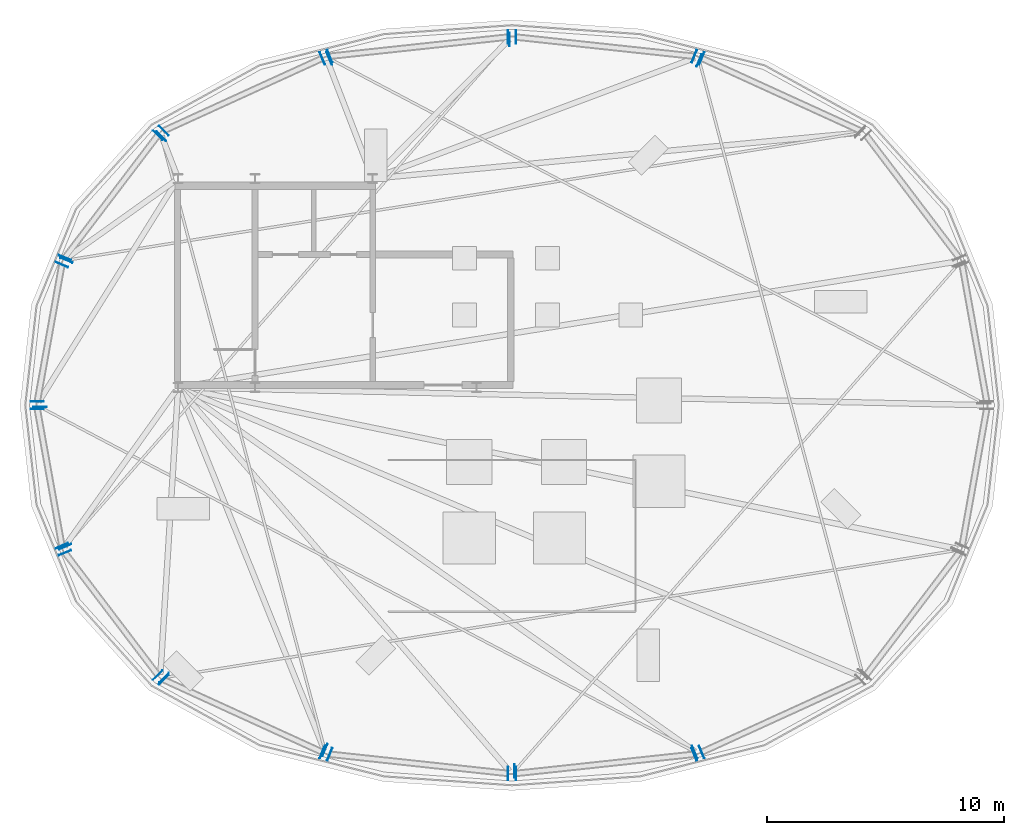
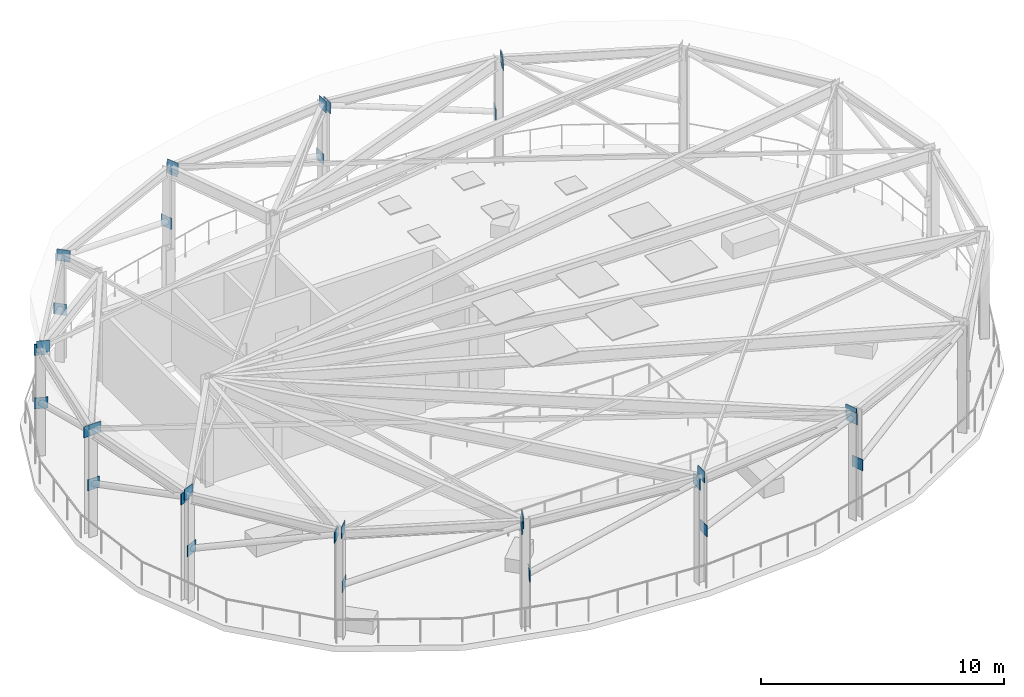
# One storey, part 3 of 6: 33 plates.
"""IFC4 building model written with IfcOpenShell, lengths in metres."""

from ifc_helpers import new_model, si_unit, direction, frame, origin, origin_2d, place, context, subcontext, project, spatial, rectangle, extrude, material, layer, layer_set, type_object, element, save


model = new_model("IFC4")

# Units and contexts
model_context = context("Model", 3, precision=1e-05, world=origin(), true_north=direction((0.0, 1.0)))
body_context = subcontext(model_context, "Body", "Model", "MODEL_VIEW")
ifc_project = project(units=[si_unit("LENGTHUNIT", "METRE"), si_unit("AREAUNIT", "SQUARE_METRE"), si_unit("VOLUMEUNIT", "CUBIC_METRE"), si_unit("PLANEANGLEUNIT", "RADIAN"), si_unit("MASSUNIT", "GRAM", prefix="KILO")], contexts=[model_context])

# Site, building, storey
site_placement = place(None, origin())
site = spatial("IfcSite", under=ifc_project, at=site_placement, CompositionType="ELEMENT")
building_placement = place(site_placement, origin())
building = spatial("IfcBuilding", under=site, at=building_placement, Name="Haldorwick Loom Tower", CompositionType="ELEMENT")
storey_placement = place(building_placement, frame((0.0, 0.0, 300.5)))
storey = spatial("IfcBuildingStorey", under=building, at=storey_placement, Name="RF", CompositionType="ELEMENT", Elevation=300.5)

# Plates
ifc_material = material(Name="Steel CSA G40.21 350W", Category="steel")
ifc_layer = layer(ifc_material, 0.028076171875, Name="Steel CSA G40.21 350W", Category="steel")
ifc_layer_set = layer_set([ifc_layer], Name="Steel CSA G40.21 350W")
plate_type = type_object("IfcPlateType", Name="STR-PLT-GUS28", PredefinedType="SHEET", material=ifc_layer_set)
for number, where, z_axis, x_axis, name in (
    (1, (28.301025390625, 40.61279296875, 5.038330078125), (0.0, 0.0, 1.0), (-0.382683432365, 0.923879532511, 0.0), "RF Truss Node Gusset Plate PLT-RF-CPR-00B"),
    (2, (17.223388671875, 32.11083984375, 5.038330078125), (0.0, 0.0, 1.0), (-0.923879532511, 0.382683432365, 0.0), "RF Truss Node Gusset Plate PLT-RF-CPR-01B"),
    (3, (35.891357421875, 41.41064453125, 5.038330078125), (0.0, 0.0, 1.0), (0.0, 1.0, 0.0), "RF Truss Node Gusset Plate PLT-RF-CPR-02A"),
    (4, (17.169189453125, 20.039306640625, 5.038330078125), (0.0, 0.0, 1.0), (-0.923879532511, -0.382683432365, 0.0), "RF Truss Node Gusset Plate PLT-RF-CPR-02B"),
    (5, (21.217041015625, 37.341796875, 5.038330078125), (0.0, 0.0, 1.0), (-0.707106781187, 0.707106781187, 0.0), "RF Truss Node Gusset Plate PLT-RF-CPR-03A"),
    (6, (28.112548828125, 11.4697265625, 5.038330078125), (0.0, 0.0, 1.0), (-0.382683432365, -0.923879532511, 0.0), "RF Truss Node Gusset Plate PLT-RF-CPR-03B"),
    (7, (16.1123046875, 25.923095703125, 5.038330078125), (0.0, 0.0, 1.0), (-1.0, 0.0, 0.0), "RF Truss Node Gusset Plate PLT-RF-CPR-04A"),
    (8, (43.698974609375, 11.38720703125, 5.038330078125), (0.0, 0.0, 1.0), (0.382683432365, -0.923879532511, 0.0), "RF Truss Node Gusset Plate PLT-RF-CPR-04B"),
    (9, (21.33740234375, 14.52490234375, 5.038330078125), (0.0, 0.0, 1.0), (-0.707106781187, -0.707106781187, 0.0), "RF Truss Node Gusset Plate PLT-RF-CPR-05A"),
    (10, (36.108642578125, 10.58935546875, 5.038330078125), (0.0, 0.0, 1.0), (0.0, -1.0, 0.0), "RF Truss Node Gusset Plate PLT-RF-CPR-06A"),
    (11, (43.887451171875, 40.5302734375, 5.038330078125), (0.0, 0.0, 1.0), (0.382683432365, 0.923879532511, 0.0), "RF Truss Node Gusset Plate PLT-RF-CPR-07B"),
    (12, (43.9951171875, 40.62109375, 4.840087890625), (0.0, 0.0, 1.0), (0.382683432365, 0.923879532511, 0.0), "RF Truss Node Gusset Plate PLT-RF-CGUS-02B"),
    (13, (43.680908203125, 40.70751953125, 2.369873046875), (0.0, 0.0, 1.0), (0.382683432365, 0.923879532511, 0.0), "RF Truss Node Gusset Plate PLT-RF-CGUS-03A"),
    (14, (36.1640625, 41.51708984375, 4.840087890625), (0.0, 0.0, 1.0), (0.0, 1.0, 0.0), "RF Truss Node Gusset Plate PLT-RF-CGUS-03B"),
    (15, (35.8359375, 41.51708984375, 2.369873046875), (0.0, 0.0, 1.0), (0.0, 1.0, 0.0), "RF Truss Node Gusset Plate PLT-RF-CGUS-04A"),
    (16, (28.319091796875, 40.70751953125, 4.840087890625), (0.0, 0.0, 1.0), (-0.382683432365, 0.923879532511, 0.0), "RF Truss Node Gusset Plate PLT-RF-CGUS-04B"),
    (17, (28.0048828125, 40.62109375, 2.369873046875), (0.0, 0.0, 1.0), (-0.382683432365, 0.923879532511, 0.0), "RF Truss Node Gusset Plate PLT-RF-CGUS-05A"),
    (18, (21.32470703125, 37.56982421875, 4.840087890625), (0.0, 0.0, 1.0), (-0.707106781187, 0.707106781187, 0.0), "RF Truss Node Gusset Plate PLT-RF-CGUS-05B"),
    (19, (21.07470703125, 37.369873046875, 2.369873046875), (0.0, 0.0, 1.0), (-0.707106781187, 0.707106781187, 0.0), "RF Truss Node Gusset Plate PLT-RF-CGUS-06A"),
    (20, (17.160400390625, 32.216064453125, 4.840087890625), (0.0, 0.0, 1.0), (-0.923879532511, 0.382683432365, 0.0), "RF Truss Node Gusset Plate PLT-RF-CGUS-06B"),
    (21, (17.03125, 31.92236328125, 2.369873046875), (0.0, 0.0, 1.0), (-0.923879532511, 0.382683432365, 0.0), "RF Truss Node Gusset Plate PLT-RF-CGUS-07A"),
    (22, (15.99560546875, 26.162353515625, 4.840087890625), (0.0, 0.0, 1.0), (-1.0, 0.0, 0.0), "RF Truss Node Gusset Plate PLT-RF-CGUS-07B"),
    (23, (15.99560546875, 25.837646484375, 2.369873046875), (0.0, 0.0, 1.0), (-1.0, 0.0, 0.0), "RF Truss Node Gusset Plate PLT-RF-CGUS-08A"),
    (24, (17.03125, 20.07763671875, 4.840087890625), (0.0, 0.0, 1.0), (-0.923879532511, -0.382683432365, 0.0), "RF Truss Node Gusset Plate PLT-RF-CGUS-08B"),
    (25, (17.160400390625, 19.783935546875, 2.369873046875), (0.0, 0.0, 1.0), (-0.923879532511, -0.382683432365, 0.0), "RF Truss Node Gusset Plate PLT-RF-CGUS-09A"),
    (26, (21.07470703125, 14.630126953125, 4.840087890625), (0.0, 0.0, 1.0), (-0.707106781187, -0.707106781187, 0.0), "RF Truss Node Gusset Plate PLT-RF-CGUS-09B"),
    (27, (21.32470703125, 14.43017578125, 2.369873046875), (0.0, 0.0, 1.0), (-0.707106781187, -0.707106781187, 0.0), "RF Truss Node Gusset Plate PLT-RF-CGUS-10A"),
    (28, (28.0048828125, 11.37890625, 4.840087890625), (0.0, 0.0, 1.0), (-0.382683432365, -0.923879532511, 0.0), "RF Truss Node Gusset Plate PLT-RF-CGUS-10B"),
    (29, (28.319091796875, 11.29248046875, 2.369873046875), (0.0, 0.0, 1.0), (-0.382683432365, -0.923879532511, 0.0), "RF Truss Node Gusset Plate PLT-RF-CGUS-11A"),
    (30, (35.8359375, 10.48291015625, 4.840087890625), (0.0, 0.0, 1.0), (0.0, -1.0, 0.0), "RF Truss Node Gusset Plate PLT-RF-CGUS-11B"),
    (31, (36.1640625, 10.48291015625, 2.369873046875), (0.0, 0.0, 1.0), (0.0, -1.0, 0.0), "RF Truss Node Gusset Plate PLT-RF-CGUS-12A"),
    (32, (43.680908203125, 11.29248046875, 4.840087890625), (0.0, 0.0, 1.0), (0.382683432365, -0.923879532511, 0.0), "RF Truss Node Gusset Plate PLT-RF-CGUS-12B"),
    (33, (43.9951171875, 11.37890625, 2.369873046875), (0.0, 0.0, 1.0), (0.382683432365, -0.923879532511, 0.0), "RF Truss Node Gusset Plate PLT-RF-CGUS-13A"),
):
    element("IfcPlate", number, at=place(storey_placement, frame(where, z_axis=z_axis, x_axis=x_axis)), inside=storey, type_object=plate_type, Name=name, PredefinedType="SHEET", context=body_context, shape_type="SweptSolid", body=[
        extrude(rectangle(XDim=0.56005859375, YDim=0.028076171875, at=origin_2d()), origin(), (0.0, 0.0, 1.0), 0.56005859375),
    ])

save(model, "model.ifc")
